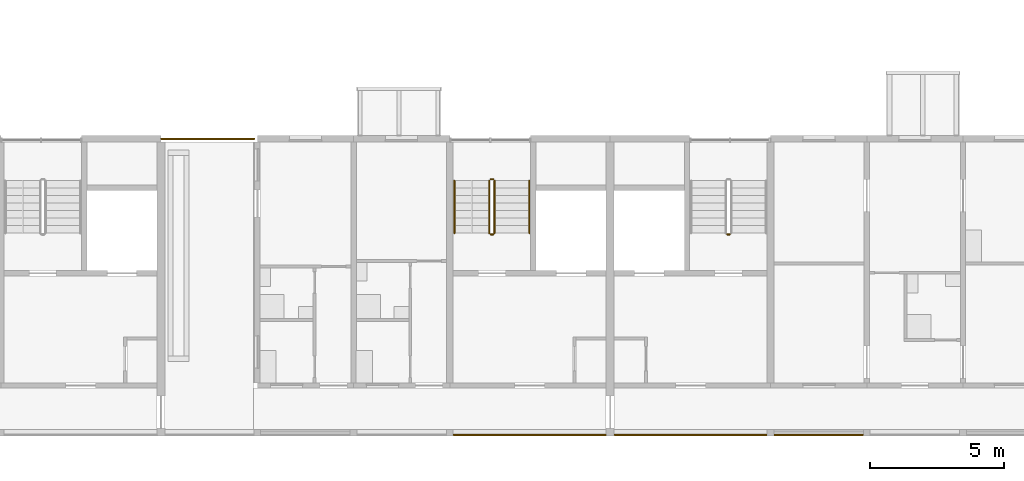
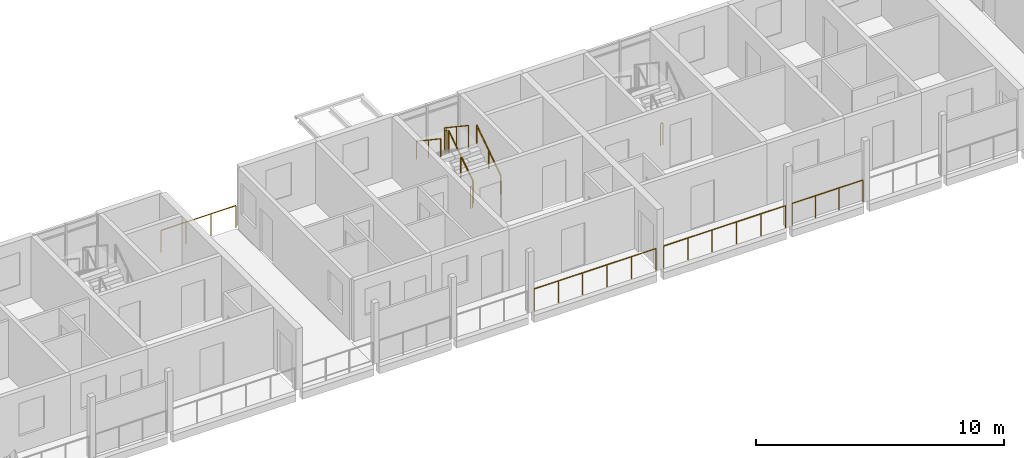
# One storey, part 63 of 78: 11 railings.
"""IFC4 building model written with IfcOpenShell, lengths in metres."""

from ifc_helpers import new_model, si_unit, direction, frame, origin, origin_2d, place, context, subcontext, project, spatial, circle, extrude, material, type_object, element, save


model = new_model("IFC4")

# Units and contexts
model_context = context("Model", 3, precision=1e-05, world=origin(), true_north=direction((0.0, 1.0)))
body_context = subcontext(model_context, "Body", "Model", "MODEL_VIEW")
ifc_project = project(units=[si_unit("LENGTHUNIT", "METRE"), si_unit("AREAUNIT", "SQUARE_METRE"), si_unit("VOLUMEUNIT", "CUBIC_METRE"), si_unit("PLANEANGLEUNIT", "RADIAN"), si_unit("MASSUNIT", "GRAM", prefix="KILO")], contexts=[model_context])

# Site, building, storey
site_placement = place(None, origin())
site = spatial("IfcSite", under=ifc_project, at=site_placement, CompositionType="ELEMENT")
building_placement = place(site_placement, origin())
building = spatial("IfcBuilding", under=site, at=building_placement, Name="Ridgestep Commons", CompositionType="ELEMENT")
storey_placement = place(building_placement, frame((0.0, 0.0, 30.0)))
storey = spatial("IfcBuildingStorey", under=building, at=storey_placement, Name="L10", CompositionType="ELEMENT", Elevation=30.0)

# Railings
ifc_material_1 = material(Name="Structural steel S355JR", Category="steel")
railing_type_1 = type_object("IfcRailingType", Name="Guard 1100", PredefinedType="GUARDRAIL", material=ifc_material_1)
railing_1_placement = place(storey_placement, frame((28.800048828125, 22.875, 0.0)))
element("IfcRailing", 1, at=railing_1_placement, inside=storey, type_object=railing_type_1, Name="Guard TD-A2R1-GD", PredefinedType="GUARDRAIL", context=body_context, shape_type="SweptSolid", body=[
    extrude(circle(Radius=0.02392578125, at=origin_2d()), frame((0.0, 0.0, 1.076171875), z_axis=(1.0, 0.0, 0.0), x_axis=(0.0, 1.0, 0.0)), (0.0, 0.0, 1.0), 3.47900390625),
    extrude(circle(Radius=0.02099609375, at=origin_2d()), origin(), (0.0, 0.0, 1.0), 1.052001953125),
    extrude(circle(Radius=0.02099609375, at=origin_2d()), frame((1.15966796875, 0.0, 0.0)), (0.0, 0.0, 1.0), 1.052001953125),
    extrude(circle(Radius=0.02099609375, at=origin_2d()), frame((2.3193359375, 0.0, 0.0)), (0.0, 0.0, 1.0), 1.052001953125),
    extrude(circle(Radius=0.02099609375, at=origin_2d()), frame((3.47900390625, 0.0, 0.0)), (0.0, 0.0, 1.0), 1.052001953125),
])
railing_2_placement = place(storey_placement, frame((39.74609375, 11.800048828125, 0.0)))
element("IfcRailing", 2, at=railing_2_placement, inside=storey, type_object=railing_type_1, Name="Gallery guard A 10.8", PredefinedType="GUARDRAIL", context=body_context, shape_type="SweptSolid", body=[
    extrude(circle(Radius=0.02392578125, at=origin_2d()), frame((0.0, 0.0, 1.076171875), z_axis=(1.0, 0.0, 0.0), x_axis=(0.0, 1.0, 0.0)), (0.0, 0.0, 1.0), 5.682861328125),
    extrude(circle(Radius=0.02099609375, at=origin_2d()), origin(), (0.0, 0.0, 1.0), 1.052001953125),
    extrude(circle(Radius=0.02099609375, at=origin_2d()), frame((1.136474609375, 0.0, 0.0)), (0.0, 0.0, 1.0), 1.052001953125),
    extrude(circle(Radius=0.02099609375, at=origin_2d()), frame((2.273193359375, 0.0, 0.0)), (0.0, 0.0, 1.0), 1.052001953125),
    extrude(circle(Radius=0.02099609375, at=origin_2d()), frame((3.40966796875, 0.0, 0.0)), (0.0, 0.0, 1.0), 1.052001953125),
    extrude(circle(Radius=0.02099609375, at=origin_2d()), frame((4.54638671875, 0.0, 0.0)), (0.0, 0.0, 1.0), 1.052001953125),
    extrude(circle(Radius=0.02099609375, at=origin_2d()), frame((5.682861328125, 0.0, 0.0)), (0.0, 0.0, 1.0), 1.052001953125),
])
railing_3_placement = place(storey_placement, frame((45.77099609375, 11.800048828125, 0.0)))
element("IfcRailing", 3, at=railing_3_placement, inside=storey, type_object=railing_type_1, Name="Gallery guard A 10.9", PredefinedType="GUARDRAIL", context=body_context, shape_type="SweptSolid", body=[
    extrude(circle(Radius=0.02392578125, at=origin_2d()), frame((0.0, 0.0, 1.076171875), z_axis=(1.0, 0.0, 0.0), x_axis=(0.0, 1.0, 0.0)), (0.0, 0.0, 1.0), 5.68310546875),
    extrude(circle(Radius=0.02099609375, at=origin_2d()), origin(), (0.0, 0.0, 1.0), 1.052001953125),
    extrude(circle(Radius=0.02099609375, at=origin_2d()), frame((1.13671875, 0.0, 0.0)), (0.0, 0.0, 1.0), 1.052001953125),
    extrude(circle(Radius=0.02099609375, at=origin_2d()), frame((2.273193359375, 0.0, 0.0)), (0.0, 0.0, 1.0), 1.052001953125),
    extrude(circle(Radius=0.02099609375, at=origin_2d()), frame((3.409912109375, 0.0, 0.0)), (0.0, 0.0, 1.0), 1.052001953125),
    extrude(circle(Radius=0.02099609375, at=origin_2d()), frame((4.54638671875, 0.0, 0.0)), (0.0, 0.0, 1.0), 1.052001953125),
    extrude(circle(Radius=0.02099609375, at=origin_2d()), frame((5.68310546875, 0.0, 0.0)), (0.0, 0.0, 1.0), 1.052001953125),
])
railing_4_placement = place(storey_placement, frame((51.74609375, 11.800048828125, 0.0)))
element("IfcRailing", 4, at=railing_4_placement, inside=storey, type_object=railing_type_1, Name="Gallery guard A 10.10", PredefinedType="GUARDRAIL", context=body_context, shape_type="SweptSolid", body=[
    extrude(circle(Radius=0.02392578125, at=origin_2d()), frame((0.0, 0.0, 1.076171875), z_axis=(1.0, 0.0, 0.0), x_axis=(0.0, 1.0, 0.0)), (0.0, 0.0, 1.0), 3.307861328125),
    extrude(circle(Radius=0.02099609375, at=origin_2d()), origin(), (0.0, 0.0, 1.0), 1.052001953125),
    extrude(circle(Radius=0.02099609375, at=origin_2d()), frame((1.1025390625, 0.0, 0.0)), (0.0, 0.0, 1.0), 1.052001953125),
    extrude(circle(Radius=0.02099609375, at=origin_2d()), frame((2.205322265625, 0.0, 0.0)), (0.0, 0.0, 1.0), 1.052001953125),
    extrude(circle(Radius=0.02099609375, at=origin_2d()), frame((3.307861328125, 0.0, 0.0)), (0.0, 0.0, 1.0), 1.052001953125),
])
ifc_material_2 = material(Name="Structural steel S355JR", Category="steel")
railing_type_2 = type_object("IfcRailingType", Name="Stair guard 1100", PredefinedType="GUARDRAIL", material=ifc_material_2)
railing_5_placement = place(storey_placement, frame((41.27490234375, 19.35009765625, 0.1875)))
element("IfcRailing", 5, at=railing_5_placement, inside=storey, type_object=railing_type_2, Name="L10 A2C stair guard 1", PredefinedType="GUARDRAIL", context=body_context, shape_type="SweptSolid", body=[
    extrude(circle(Radius=0.02392578125, at=origin_2d()), frame((0.0, 0.0, 1.076171875), z_axis=(0.0, 0.830902050051, 0.556418712142), x_axis=(-1.0, 0.0, 0.0)), (0.0, 0.0, 1.0), 2.35888671875),
    extrude(circle(Radius=0.02099609375, at=origin_2d()), origin(), (0.0, 0.0, 1.0), 1.052001953125),
    extrude(circle(Radius=0.02099609375, at=origin_2d()), frame((0.0, 0.97998046875, 0.65625)), (0.0, 0.0, 1.0), 1.052001953125),
    extrude(circle(Radius=0.02099609375, at=origin_2d()), frame((0.0, 1.9599609375, 1.3125)), (0.0, 0.0, 1.0), 1.052001953125),
])
railing_6_placement = place(storey_placement, frame((41.22509765625, 21.360107421875, 1.5)))
element("IfcRailing", 6, at=railing_6_placement, inside=storey, type_object=railing_type_2, Name="L10 A2C stair guard 2", PredefinedType="GUARDRAIL", context=body_context, shape_type="SweptSolid", body=[
    extrude(circle(Radius=0.02392578125, at=origin_2d()), frame((0.0, 0.0, 1.076171875), z_axis=(-1.0, 0.0, 0.0), x_axis=(0.0, -1.0, 0.0)), (0.0, 0.0, 1.0), 0.10009765625),
    extrude(circle(Radius=0.02099609375, at=origin_2d()), origin(), (0.0, 0.0, 1.0), 1.052001953125),
    extrude(circle(Radius=0.02099609375, at=origin_2d()), frame((-0.10009765625, 0.0, 0.0)), (0.0, 0.0, 1.0), 1.052001953125),
])
railing_7_placement = place(storey_placement, frame((41.074951171875, 21.31005859375, 1.6875)))
element("IfcRailing", 7, at=railing_7_placement, inside=storey, type_object=railing_type_2, Name="L10 A2C stair guard 3", PredefinedType="GUARDRAIL", context=body_context, shape_type="SweptSolid", body=[
    extrude(circle(Radius=0.02392578125, at=origin_2d()), frame((0.0, 0.0, 1.076171875), z_axis=(0.0, -0.830902050051, 0.556418712142), x_axis=(1.0, 0.0, 0.0)), (0.0, 0.0, 1.0), 2.35888671875),
    extrude(circle(Radius=0.02099609375, at=origin_2d()), origin(), (0.0, 0.0, 1.0), 1.052001953125),
    extrude(circle(Radius=0.02099609375, at=origin_2d()), frame((0.0, -0.97998046875, 0.65625)), (0.0, 0.0, 1.0), 1.052001953125),
    extrude(circle(Radius=0.02099609375, at=origin_2d()), frame((0.0, -1.9599609375, 1.3125)), (0.0, 0.0, 1.0), 1.052001953125),
])
railing_8_placement = place(storey_placement, frame((41.22509765625, 19.300048828125, 0.0)))
element("IfcRailing", 8, at=railing_8_placement, inside=storey, type_object=railing_type_2, Name="L10 A2C stair guard 4", PredefinedType="GUARDRAIL", context=body_context, shape_type="SweptSolid", body=[
    extrude(circle(Radius=0.02392578125, at=origin_2d()), frame((0.0, 0.0, 1.076171875), z_axis=(-1.0, 0.0, 0.0), x_axis=(0.0, -1.0, 0.0)), (0.0, 0.0, 1.0), 0.10009765625),
    extrude(circle(Radius=0.02099609375, at=origin_2d()), origin(), (0.0, 0.0, 1.0), 1.052001953125),
    extrude(circle(Radius=0.02099609375, at=origin_2d()), frame((-0.10009765625, 0.0, 0.0)), (0.0, 0.0, 1.0), 1.052001953125),
])
railing_9_placement = place(storey_placement, frame((50.074951171875, 19.300048828125, 0.0)))
element("IfcRailing", 9, at=railing_9_placement, inside=storey, type_object=railing_type_2, Name="L10 A3C stair guard 4", PredefinedType="GUARDRAIL", context=body_context, shape_type="SweptSolid", body=[
    extrude(circle(Radius=0.02392578125, at=origin_2d()), frame((0.0, 0.0, 1.076171875), z_axis=(-1.0, 0.0, 0.0), x_axis=(0.0, -1.0, 0.0)), (0.0, 0.0, 1.0), 0.099853515625),
    extrude(circle(Radius=0.02099609375, at=origin_2d()), origin(), (0.0, 0.0, 1.0), 1.052001953125),
    extrude(circle(Radius=0.02099609375, at=origin_2d()), frame((-0.099853515625, 0.0, 0.0)), (0.0, 0.0, 1.0), 1.052001953125),
])
ifc_material_3 = material(Name="Structural steel S355JR", Category="steel")
railing_type_3 = type_object("IfcRailingType", Name="Stair handrail 900", PredefinedType="HANDRAIL", material=ifc_material_3)
railing_10_placement = place(storey_placement, frame((42.574951171875, 19.35009765625, 0.1875)))
element("IfcRailing", 10, at=railing_10_placement, inside=storey, type_object=railing_type_3, Name="L10 A2C stair handrail 1", PredefinedType="HANDRAIL", context=body_context, shape_type="SweptSolid", body=[
    extrude(circle(Radius=0.02392578125, at=origin_2d()), frame((0.0, 0.0, 0.8759765625), z_axis=(0.0, 0.830902050051, 0.556418712142), x_axis=(-1.0, 0.0, 0.0)), (0.0, 0.0, 1.0), 2.35888671875),
    extrude(circle(Radius=0.02099609375, at=origin_2d()), origin(), (0.0, 0.0, 1.0), 0.851806640625),
    extrude(circle(Radius=0.02099609375, at=origin_2d()), frame((0.0, 0.97998046875, 0.65625)), (0.0, 0.0, 1.0), 0.851806640625),
    extrude(circle(Radius=0.02099609375, at=origin_2d()), frame((0.0, 1.9599609375, 1.3125)), (0.0, 0.0, 1.0), 0.851806640625),
])
railing_11_placement = place(storey_placement, frame((39.77490234375, 21.31005859375, 1.6875)))
element("IfcRailing", 11, at=railing_11_placement, inside=storey, type_object=railing_type_3, Name="L10 A2C stair handrail 2", PredefinedType="HANDRAIL", context=body_context, shape_type="SweptSolid", body=[
    extrude(circle(Radius=0.02392578125, at=origin_2d()), frame((0.0, 0.0, 0.8759765625), z_axis=(0.0, -0.830902050051, 0.556418712142), x_axis=(1.0, 0.0, 0.0)), (0.0, 0.0, 1.0), 2.35888671875),
    extrude(circle(Radius=0.02099609375, at=origin_2d()), origin(), (0.0, 0.0, 1.0), 0.851806640625),
    extrude(circle(Radius=0.02099609375, at=origin_2d()), frame((0.0, -0.97998046875, 0.65625)), (0.0, 0.0, 1.0), 0.851806640625),
    extrude(circle(Radius=0.02099609375, at=origin_2d()), frame((0.0, -1.9599609375, 1.3125)), (0.0, 0.0, 1.0), 0.851806640625),
])

save(model, "model.ifc")
